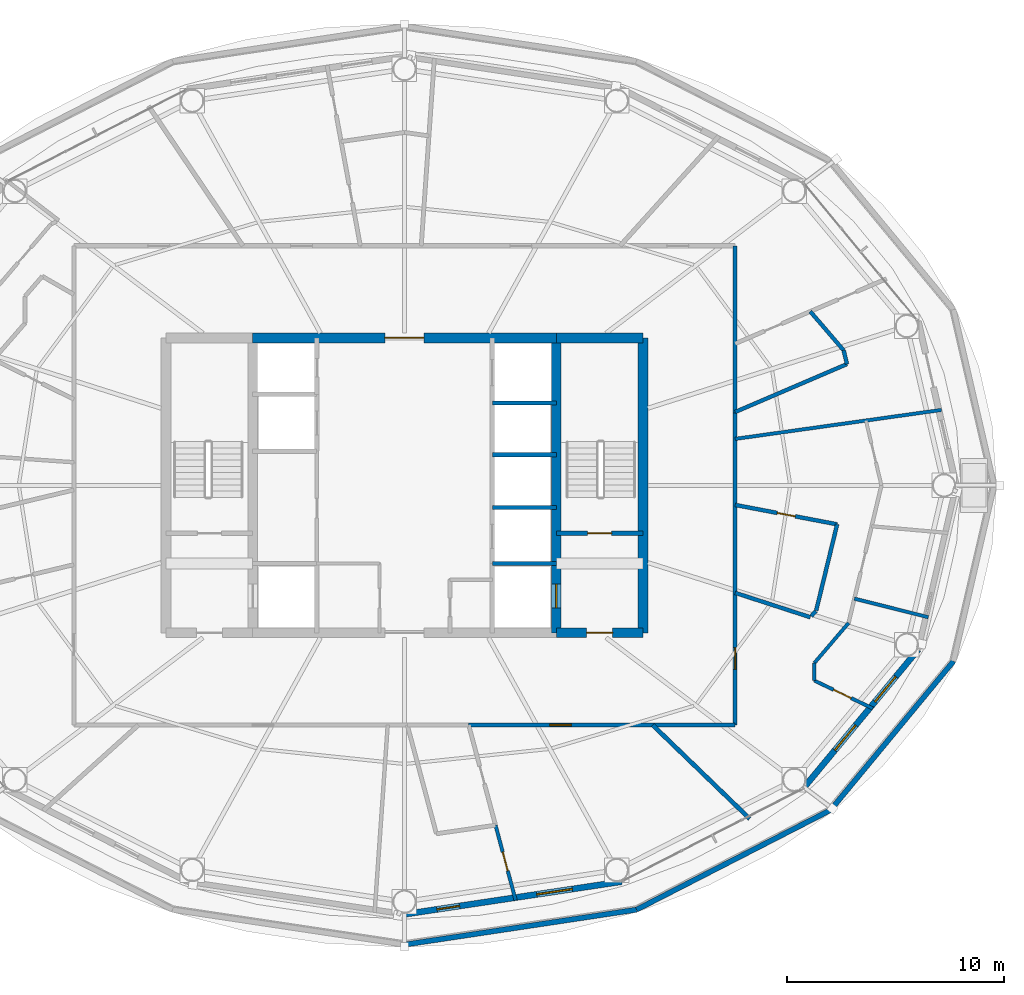
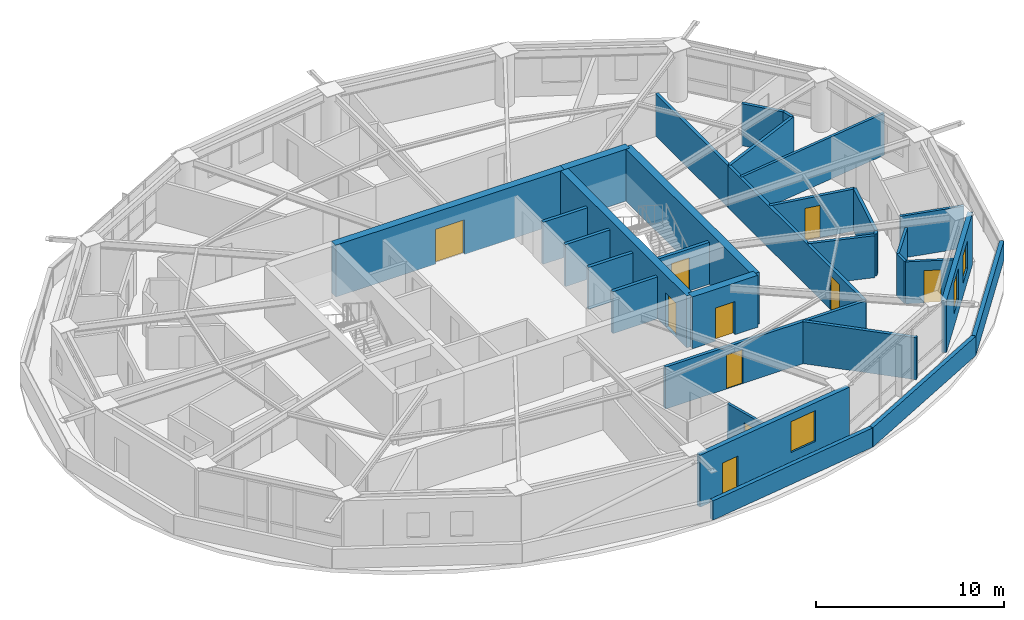
# One storey, part 17 of 22: 32 walls, 10 doors, 3 windows, 13 openings.
"""IFC4 building model written with IfcOpenShell, lengths in metres."""

from ifc_helpers import new_model, si_unit, direction, frame, frame_2d, origin, place, context, subcontext, project, spatial, rectangle, extrude, material, layer, layer_set, type_object, element, fill, save


model = new_model("IFC4")

# Units and contexts
model_context = context("Model", 3, precision=1e-05, world=origin(), true_north=direction((0.0, 1.0)))
body_context = subcontext(model_context, "Body", "Model", "MODEL_VIEW")
ifc_project = project(units=[si_unit("LENGTHUNIT", "METRE"), si_unit("AREAUNIT", "SQUARE_METRE"), si_unit("VOLUMEUNIT", "CUBIC_METRE"), si_unit("PLANEANGLEUNIT", "RADIAN"), si_unit("MASSUNIT", "GRAM", prefix="KILO")], contexts=[model_context])

# Site, building, storey
site_placement = place(None, origin())
site = spatial("IfcSite", under=ifc_project, at=site_placement, CompositionType="ELEMENT")
building_placement = place(site_placement, origin())
building = spatial("IfcBuilding", under=site, at=building_placement, Name="Sarneth Arch Tower", CompositionType="ELEMENT")
storey_placement = place(building_placement, frame((0.0, 0.0, 206.39990234375)))
storey = spatial("IfcBuildingStorey", under=building, at=storey_placement, Name="L52", CompositionType="ELEMENT", Elevation=206.39990234375)

# Wall, opening, door
ifc_material_1 = material(Name="Concrete C50/60", Category="concrete")
ifc_layer_1 = layer(ifc_material_1, 0.449951171875)
ifc_layer_set_1 = layer_set([ifc_layer_1], Name="Concrete C50/60")
wall_type_1 = type_object("IfcWallType", Name="WALL-CORE-450", PredefinedType="SHEAR", material=ifc_layer_set_1)
wall_1_placement = place(storey_placement, frame((55.0, 35.199951171875, 0.0), z_axis=(0.0, 0.0, 1.0), x_axis=(1.0, 0.0, 0.0)))
wall_1 = element("IfcWall", 1, at=wall_1_placement, inside=storey, type_object=wall_type_1, Name="L52 Core shear wall S-E", PredefinedType="SHEAR", context=body_context, shape_type="SweptSolid", body=[
    extrude(rectangle(XDim=4.0, YDim=0.449951171875, at=frame_2d((2.0, 0.0))), origin(), (0.0, 0.0, 1.0), 3.360107421875),
])
opening_1_placement = place(wall_1_placement, frame((1.39990234375, 0.0, 0.0)))
opening_1 = element("IfcOpeningElement", 2, at=opening_1_placement, cuts=wall_1, Name="Opening FD-02", PredefinedType="OPENING", context=body_context, shape_type="SweptSolid", body=[
    extrude(rectangle(XDim=1.199951171875, YDim=2.14990234375, at=frame_2d((0.60009765625, 1.074951171875))), frame((0.0, 0.23486328125, 0.0), z_axis=(0.0, -1.0, 0.0), x_axis=(1.0, 0.0, 0.0)), (0.0, 0.0, 1.0), 0.469970703125),
])
ifc_material_2 = material(Name="Galvanised Steel S275 fire door set", Category="steel")
door_type_1 = type_object("IfcDoorType", Name="DR-FD90-1200", OperationType="SINGLE_SWING_LEFT", PredefinedType="DOOR", material=ifc_material_2)
door_1_placement = place(opening_1_placement, origin())
door_1 = element("IfcDoor", 3, at=door_1_placement, inside=storey, type_object=door_type_1, Name="L52 Firefighting lobby 2 exit door", OperationType="SINGLE_SWING_RIGHT", OverallHeight=2.14990234375, OverallWidth=1.199951171875, PredefinedType="DOOR", context=body_context, shape_type="SweptSolid", body=[
    extrude(rectangle(XDim=1.199951171875, YDim=2.14990234375, at=frame_2d((0.60009765625, 1.074951171875))), frame((0.0, 0.02490234375, 0.0), z_axis=(0.0, -1.0, 0.0), x_axis=(1.0, 0.0, 0.0)), (0.0, 0.0, 1.0), 0.050048828125),
])
fill(opening_1, door_1)

wall_2_placement = place(storey_placement, frame((41.0, 48.800048828125, 0.0), z_axis=(0.0, 0.0, 1.0), x_axis=(1.0, 0.0, 0.0)))
wall_2 = element("IfcWall", 4, at=wall_2_placement, inside=storey, type_object=wall_type_1, Name="L52 Core shear wall N-M", PredefinedType="SHEAR", context=body_context, shape_type="SweptSolid", body=[
    extrude(rectangle(XDim=14.0, YDim=0.449951171875, at=frame_2d((7.0, 0.0))), origin(), (0.0, 0.0, 1.0), 3.360107421875),
])
opening_2_placement = place(wall_2_placement, frame((6.10009765625, 0.0, 0.0)))
opening_2 = element("IfcOpeningElement", 5, at=opening_2_placement, cuts=wall_2, Name="Opening FD-01", PredefinedType="OPENING", context=body_context, shape_type="SweptSolid", body=[
    extrude(rectangle(XDim=1.800048828125, YDim=2.25, at=frame_2d((0.89990234375, 1.125))), frame((0.0, 0.23486328125, 0.0), z_axis=(0.0, -1.0, 0.0), x_axis=(1.0, 0.0, 0.0)), (0.0, 0.0, 1.0), 0.469970703125),
])
ifc_material_3 = material(Name="Galvanised Steel S275 fire door set", Category="steel")
door_type_2 = type_object("IfcDoorType", Name="DR-FD90-1800", OperationType="DOUBLE_DOOR_SINGLE_SWING", PredefinedType="DOOR", material=ifc_material_3)
door_2_placement = place(opening_2_placement, origin())
door_2 = element("IfcDoor", 6, at=door_2_placement, inside=storey, type_object=door_type_2, Name="L52 Central lift lobby north door", OperationType="DOUBLE_DOOR_SINGLE_SWING", OverallHeight=2.25, OverallWidth=1.800048828125, PredefinedType="DOOR", context=body_context, shape_type="SweptSolid", body=[
    extrude(rectangle(XDim=1.800048828125, YDim=2.25, at=frame_2d((0.89990234375, 1.125))), frame((0.0, 0.02490234375, 0.0), z_axis=(0.0, -1.0, 0.0), x_axis=(1.0, 0.0, 0.0)), (0.0, 0.0, 1.0), 0.050048828125),
])
fill(opening_2, door_2)

# Walls
wall_3_placement = place(storey_placement, frame((55.0, 48.800048828125, 0.0), z_axis=(0.0, 0.0, 1.0), x_axis=(1.0, 0.0, 0.0)))
element("IfcWall", 7, at=wall_3_placement, inside=storey, type_object=wall_type_1, Name="L52 Core shear wall N-E", PredefinedType="SHEAR", context=body_context, shape_type="SweptSolid", body=[
    extrude(rectangle(XDim=4.0, YDim=0.449951171875, at=frame_2d((2.0, 0.0))), origin(), (0.0, 0.0, 1.0), 3.360107421875),
])
wall_4_placement = place(storey_placement, frame((59.0, 35.199951171875, 0.0), z_axis=(0.0, 0.0, 1.0), x_axis=(0.0, 1.0, 0.0)))
element("IfcWall", 8, at=wall_4_placement, inside=storey, type_object=wall_type_1, Name="L52 Core shear wall E", PredefinedType="SHEAR", context=body_context, shape_type="SweptSolid", body=[
    extrude(rectangle(XDim=13.60009765625, YDim=0.449951171875, at=frame_2d((6.800048828125, 0.0))), origin(), (0.0, 0.0, 1.0), 3.360107421875),
])

# Wall, opening, door
wall_5_placement = place(storey_placement, frame((55.0, 35.199951171875, 0.0), z_axis=(0.0, 0.0, 1.0), x_axis=(0.0, 1.0, 0.0)))
wall_5 = element("IfcWall", 9, at=wall_5_placement, inside=storey, type_object=wall_type_1, Name="L52 Core shear wall WEB-E", PredefinedType="SHEAR", context=body_context, shape_type="SweptSolid", body=[
    extrude(rectangle(XDim=13.60009765625, YDim=0.449951171875, at=frame_2d((6.800048828125, 0.0))), origin(), (0.0, 0.0, 1.0), 3.360107421875),
])
opening_3_placement = place(wall_5_placement, frame((1.14990234375, 0.0, 0.0)))
opening_3 = element("IfcOpeningElement", 10, at=opening_3_placement, cuts=wall_5, Name="Opening LD-1", PredefinedType="OPENING", context=body_context, shape_type="SweptSolid", body=[
    extrude(rectangle(XDim=1.10009765625, YDim=2.199951171875, at=frame_2d((0.550048828125, 1.10009765625))), frame((0.0, 0.23486328125, 0.0), z_axis=(0.0, -1.0, 0.0), x_axis=(1.0, 0.0, 0.0)), (0.0, 0.0, 1.0), 0.469970703125),
])
ifc_material_4 = material(Name="Brushed Stainless Steel 304 lift landing door", Category="steel")
door_type_3 = type_object("IfcDoorType", Name="DR-LIFT-SLIDE-1100", OperationType="SLIDING_TO_LEFT", PredefinedType="DOOR", material=ifc_material_4)
door_3_placement = place(opening_3_placement, origin())
door_3 = element("IfcDoor", 11, at=door_3_placement, inside=storey, type_object=door_type_3, Name="L52 Firefighting lift landing door FL-2", OperationType="SLIDING_TO_RIGHT", OverallHeight=2.199951171875, OverallWidth=1.10009765625, PredefinedType="DOOR", context=body_context, shape_type="SweptSolid", body=[
    extrude(rectangle(XDim=1.10009765625, YDim=2.199951171875, at=frame_2d((0.550048828125, 1.10009765625))), frame((0.0, 0.02490234375, 0.0), z_axis=(0.0, -1.0, 0.0), x_axis=(1.0, 0.0, 0.0)), (0.0, 0.0, 1.0), 0.050048828125),
])
fill(opening_3, door_3)

ifc_material_5 = material(Name="Double steel-stud corridor fire wall", Category="steel")
ifc_layer_2 = layer(ifc_material_5, 0.18994140625)
ifc_layer_set_2 = layer_set([ifc_layer_2], Name="Double steel-stud corridor fire wall")
wall_type_2 = type_object("IfcWallType", Name="WALL-CORR-190", PredefinedType="PARTITIONING", material=ifc_layer_set_2)
wall_6_placement = place(storey_placement, frame((50.960693359375, 30.949951171875, 0.0), z_axis=(0.0, 0.0, 1.0), x_axis=(1.0, 0.0, 0.0)))
wall_6 = element("IfcWall", 12, at=wall_6_placement, inside=storey, type_object=wall_type_2, Name="L52 Interior partition W-L52-TP-017", PredefinedType="PARTITIONING", context=body_context, shape_type="SweptSolid", body=[
    extrude(rectangle(XDim=12.289306640625, YDim=0.18994140625, at=frame_2d((6.14453125, 0.0))), origin(), (0.0, 0.0, 1.0), 2.72021484375),
])
opening_4_placement = place(wall_6_placement, frame((3.740966796875, 0.0, 0.0)))
opening_4 = element("IfcOpeningElement", 13, at=opening_4_placement, cuts=wall_6, Name="Opening FD-08", PredefinedType="OPENING", context=body_context, shape_type="SweptSolid", body=[
    extrude(rectangle(XDim=1.0, YDim=2.199951171875, at=frame_2d((0.5, 1.10009765625))), frame((0.0, 0.10498046875, 0.0), z_axis=(0.0, -1.0, 0.0), x_axis=(1.0, 0.0, 0.0)), (0.0, 0.0, 1.0), 0.2099609375),
])
ifc_material_6 = material(Name="Hardwood timber acoustic fire door", Category="wood")
door_type_4 = type_object("IfcDoorType", Name="DR-FD60-1000", OperationType="SINGLE_SWING_LEFT", PredefinedType="DOOR", material=ifc_material_6)
door_4_placement = place(opening_4_placement, origin())
door_4 = element("IfcDoor", 14, at=door_4_placement, inside=storey, type_object=door_type_4, Name="L52 Interior door DR-L52-U7-ENT", OperationType="SINGLE_SWING_LEFT", OverallHeight=2.199951171875, OverallWidth=1.0, PredefinedType="DOOR", context=body_context, shape_type="SweptSolid", body=[
    extrude(rectangle(XDim=1.0, YDim=2.199951171875, at=frame_2d((0.5, 1.10009765625))), frame((0.0, 0.02490234375, 0.0), z_axis=(0.0, -1.0, 0.0), x_axis=(1.0, 0.0, 0.0)), (0.0, 0.0, 1.0), 0.050048828125),
])
fill(opening_4, door_4)

wall_7_placement = place(storey_placement, frame((63.25, 45.419189453125, 0.0), z_axis=(0.0, 0.0, 1.0), x_axis=(0.0, -1.0, 0.0)))
wall_7 = element("IfcWall", 15, at=wall_7_placement, inside=storey, type_object=wall_type_2, Name="L52 Interior partition W-L52-TP-020", PredefinedType="PARTITIONING", context=body_context, shape_type="SweptSolid", body=[
    extrude(rectangle(XDim=14.46923828125, YDim=0.18994140625, at=frame_2d((7.234619140625, 0.0))), origin(), (0.0, 0.0, 1.0), 2.72021484375),
])
opening_5_placement = place(wall_7_placement, frame((10.90478515625, 0.0, 0.0)))
opening_5 = element("IfcOpeningElement", 16, at=opening_5_placement, cuts=wall_7, Name="Opening FD-08", PredefinedType="OPENING", context=body_context, shape_type="SweptSolid", body=[
    extrude(rectangle(XDim=1.0, YDim=2.199951171875, at=frame_2d((0.5, 1.10009765625))), frame((0.0, 0.10498046875, 0.0), z_axis=(0.0, -1.0, 0.0), x_axis=(1.0, 0.0, 0.0)), (0.0, 0.0, 1.0), 0.2099609375),
])
door_5_placement = place(opening_5_placement, origin())
door_5 = element("IfcDoor", 17, at=door_5_placement, inside=storey, type_object=door_type_4, Name="L52 Interior door DR-L52-U8-ENT", OperationType="SINGLE_SWING_RIGHT", OverallHeight=2.199951171875, OverallWidth=1.0, PredefinedType="DOOR", context=body_context, shape_type="SweptSolid", body=[
    extrude(rectangle(XDim=1.0, YDim=2.199951171875, at=frame_2d((0.5, 1.10009765625))), frame((0.0, 0.02490234375, 0.0), z_axis=(0.0, -1.0, 0.0), x_axis=(1.0, 0.0, 0.0)), (0.0, 0.0, 1.0), 0.050048828125),
])
fill(opening_5, door_5)

# Wall
wall_8_placement = place(storey_placement, frame((63.25, 45.349609375, 0.0), z_axis=(0.0, 0.0, 1.0), x_axis=(0.0, 1.0, 0.0)))
element("IfcWall", 18, at=wall_8_placement, inside=storey, type_object=wall_type_2, Name="L52 Interior partition W-L52-TP-001", PredefinedType="PARTITIONING", context=body_context, shape_type="SweptSolid", body=[
    extrude(rectangle(XDim=7.700439453125, YDim=0.18994140625, at=frame_2d((3.85009765625, 0.0))), origin(), (0.0, 0.0, 1.0), 2.72021484375),
])

# Wall, openings, door, window
ifc_material_7 = material(Name="Extruded terracotta rainscreen on Concrete C40/50 backing", Category="masonry")
ifc_layer_3 = layer(ifc_material_7, 0.280029296875)
ifc_layer_set_3 = layer_set([ifc_layer_3], Name="Extruded terracotta rainscreen on Concrete C40/50 backing")
wall_type_3 = type_object("IfcWallType", Name="WALL-EXT-TERRA-280", PredefinedType="SOLIDWALL", material=ifc_layer_set_3)
wall_9_placement = place(storey_placement, frame((48.0, 22.219970703125, 0.0), z_axis=(0.0, 0.0, 1.0), x_axis=(0.988882522213, 0.148698881169, 0.0)))
wall_9 = element("IfcWall", 19, at=wall_9_placement, inside=storey, type_object=wall_type_3, Name="L52 Terracotta perimeter wall 13", PredefinedType="SOLIDWALL", context=body_context, shape_type="SweptSolid", body=[
    extrude(rectangle(XDim=10.125244140625, YDim=0.280029296875, at=frame_2d((5.0625, 0.0))), origin(), (0.0, 0.0, 1.0), 3.360107421875),
])
opening_6_placement = place(wall_9_placement, frame((1.51611328125, 0.0, 0.0)))
opening_6 = element("IfcOpeningElement", 20, at=opening_6_placement, cuts=wall_9, Name="Opening BD-4", PredefinedType="OPENING", context=body_context, shape_type="SweptSolid", body=[
    extrude(rectangle(XDim=1.050048828125, YDim=2.199951171875, at=frame_2d((0.52490234375, 1.10009765625))), frame((0.0, 0.14990234375, 0.0), z_axis=(0.0, -1.0, 0.0), x_axis=(1.0, 0.0, 0.0)), (0.0, 0.0, 1.0), 0.300048828125),
])
opening_7_placement = place(wall_9_placement, frame((6.175537109375, 0.0, 0.85009765625)))
opening_7 = element("IfcOpeningElement", 21, at=opening_7_placement, cuts=wall_9, Name="Opening W-05", PredefinedType="OPENING", context=body_context, shape_type="SweptSolid", body=[
    extrude(rectangle(XDim=1.64990234375, YDim=2.0, at=frame_2d((0.824951171875, 1.0))), frame((0.0, 0.14990234375, 0.0), z_axis=(0.0, -1.0, 0.0), x_axis=(1.0, 0.0, 0.0)), (0.0, 0.0, 1.0), 0.300048828125),
])
ifc_material_8 = material(Name="Thermally broken Aluminium 6063-T6 and laminated safety glass", Category="aluminium")
door_type_5 = type_object("IfcDoorType", Name="DR-BALC-GLZ-1050", OperationType="SINGLE_SWING_RIGHT", PredefinedType="DOOR", material=ifc_material_8)
door_6_placement = place(opening_6_placement, origin())
door_6 = element("IfcDoor", 22, at=door_6_placement, inside=storey, type_object=door_type_5, Name="L52 Maintenance roof access door 13", OperationType="SINGLE_SWING_RIGHT", OverallHeight=2.199951171875, OverallWidth=1.050048828125, PredefinedType="DOOR", context=body_context, shape_type="SweptSolid", body=[
    extrude(rectangle(XDim=1.050048828125, YDim=2.199951171875, at=frame_2d((0.52490234375, 1.10009765625))), frame((0.0, 0.02490234375, 0.0), z_axis=(0.0, -1.0, 0.0), x_axis=(1.0, 0.0, 0.0)), (0.0, 0.0, 1.0), 0.050048828125),
])
fill(opening_6, door_6)
ifc_material_9 = material(Name="Thermally broken Aluminium 6063-T6 and low-e laminated IGU", Category="aluminium")
window_type_1 = type_object("IfcWindowType", Name="WIN-TWR-1650x2000", PartitioningType="DOUBLE_PANEL_VERTICAL", PredefinedType="WINDOW", material=ifc_material_9)
window_1_placement = place(opening_7_placement, origin())
window_1 = element("IfcWindow", 23, at=window_1_placement, inside=storey, type_object=window_type_1, Name="L52 Exterior window 13A", OverallHeight=2.0, OverallWidth=1.64990234375, PartitioningType="SINGLE_PANEL", PredefinedType="WINDOW", context=body_context, shape_type="SweptSolid", body=[
    extrude(rectangle(XDim=1.64990234375, YDim=2.0, at=frame_2d((0.824951171875, 1.0))), frame((0.0, 0.030029296875, 0.0), z_axis=(0.0, -1.0, 0.0), x_axis=(1.0, 0.0, 0.0)), (0.0, 0.0, 1.0), 0.06005859375),
])
fill(opening_7, window_1)

# Wall, openings, windows
wall_10_placement = place(storey_placement, frame((66.382568359375, 28.013427734375, 0.0), z_axis=(0.0, 0.0, 1.0), x_axis=(0.63761509934, 0.770355103243, 0.0)))
wall_10 = element("IfcWall", 24, at=wall_10_placement, inside=storey, type_object=wall_type_3, Name="L52 Terracotta perimeter wall 15", PredefinedType="SOLIDWALL", context=body_context, shape_type="SweptSolid", body=[
    extrude(rectangle(XDim=8.329833984375, YDim=0.280029296875, at=frame_2d((4.1650390625, 0.0))), origin(), (0.0, 0.0, 1.0), 3.360107421875),
])
opening_8_placement = place(wall_10_placement, frame((2.302978515625, 0.0, 0.85009765625)))
opening_8 = element("IfcOpeningElement", 25, at=opening_8_placement, cuts=wall_10, Name="Opening W-06", PredefinedType="OPENING", context=body_context, shape_type="SweptSolid", body=[
    extrude(rectangle(XDim=1.5, YDim=2.0, at=frame_2d((0.75, 1.0))), frame((0.0, 0.14990234375, 0.0), z_axis=(0.0, -1.0, 0.0), x_axis=(1.0, 0.0, 0.0)), (0.0, 0.0, 1.0), 0.300048828125),
])
opening_9_placement = place(wall_10_placement, frame((5.2080078125, 0.0, 0.85009765625)))
opening_9 = element("IfcOpeningElement", 26, at=opening_9_placement, cuts=wall_10, Name="Opening W-07", PredefinedType="OPENING", context=body_context, shape_type="SweptSolid", body=[
    extrude(rectangle(XDim=1.5, YDim=1.800048828125, at=frame_2d((0.75, 0.89990234375))), frame((0.0, 0.14990234375, 0.0), z_axis=(0.0, -1.0, 0.0), x_axis=(1.0, 0.0, 0.0)), (0.0, 0.0, 1.0), 0.300048828125),
])
ifc_material_10 = material(Name="Thermally broken Aluminium 6063-T6 and low-e laminated IGU", Category="aluminium")
window_type_2 = type_object("IfcWindowType", Name="WIN-TWR-1500x1800", PartitioningType="SINGLE_PANEL", PredefinedType="WINDOW", material=ifc_material_10)
window_2_placement = place(opening_9_placement, origin())
window_2 = element("IfcWindow", 27, at=window_2_placement, inside=storey, type_object=window_type_2, Name="L52 Exterior window 15B", OverallHeight=1.800048828125, OverallWidth=1.5, PartitioningType="SINGLE_PANEL", PredefinedType="WINDOW", context=body_context, shape_type="SweptSolid", body=[
    extrude(rectangle(XDim=1.5, YDim=1.800048828125, at=frame_2d((0.75, 0.89990234375))), frame((0.0, 0.030029296875, 0.0), z_axis=(0.0, -1.0, 0.0), x_axis=(1.0, 0.0, 0.0)), (0.0, 0.0, 1.0), 0.06005859375),
])
fill(opening_9, window_2)
ifc_material_11 = material(Name="Thermally broken Aluminium 6063-T6 and low-e laminated IGU", Category="aluminium")
window_type_3 = type_object("IfcWindowType", Name="WIN-TWR-1500x2000", PartitioningType="SINGLE_PANEL", PredefinedType="WINDOW", material=ifc_material_11)
window_3_placement = place(opening_8_placement, origin())
window_3 = element("IfcWindow", 28, at=window_3_placement, inside=storey, type_object=window_type_3, Name="L52 Exterior window 15A", OverallHeight=2.0, OverallWidth=1.5, PartitioningType="SINGLE_PANEL", PredefinedType="WINDOW", context=body_context, shape_type="SweptSolid", body=[
    extrude(rectangle(XDim=1.5, YDim=2.0, at=frame_2d((0.75, 1.0))), frame((0.0, 0.030029296875, 0.0), z_axis=(0.0, -1.0, 0.0), x_axis=(1.0, 0.0, 0.0)), (0.0, 0.0, 1.0), 0.06005859375),
])
fill(opening_8, window_3)

# Walls
ifc_material_12 = material(Name="Extruded terracotta rainscreen on Concrete C40/50 backing", Category="masonry")
ifc_layer_4 = layer(ifc_material_12, 0.239990234375)
ifc_layer_set_4 = layer_set([ifc_layer_4], Name="Extruded terracotta rainscreen on Concrete C40/50 backing")
wall_type_4 = type_object("IfcWallType", Name="WALL-PARAPET-240", PredefinedType="PARAPET", material=ifc_layer_set_4)
wall_11_placement = place(storey_placement, frame((48.0, 20.820068359375, 0.0), z_axis=(0.0, 0.0, 1.0), x_axis=(0.988842828913, 0.148962611775, 0.0)))
element("IfcWall", 29, at=wall_11_placement, inside=storey, type_object=wall_type_4, Name="L52 Setback roof parapet 13", PredefinedType="PARAPET", context=body_context, shape_type="SweptSolid", body=[
    extrude(rectangle(XDim=10.822021484375, YDim=0.239990234375, at=frame_2d((5.4111328125, 0.0))), origin(), (0.0, 0.0, 1.0), 1.25),
])
wall_12_placement = place(storey_placement, frame((58.701171875, 22.43212890625, 0.0), z_axis=(0.0, 0.0, 1.0), x_axis=(0.889652072391, 0.456639015077, 0.0)))
element("IfcWall", 30, at=wall_12_placement, inside=storey, type_object=wall_type_4, Name="L52 Setback roof parapet 14", PredefinedType="PARAPET", context=body_context, shape_type="SweptSolid", body=[
    extrude(rectangle(XDim=10.0546875, YDim=0.239990234375, at=frame_2d((5.02734375, 0.0))), origin(), (0.0, 0.0, 1.0), 1.25),
])
wall_13_placement = place(storey_placement, frame((67.646240234375, 27.0234375, 0.0), z_axis=(0.0, 0.0, 1.0), x_axis=(0.636894188862, 0.770951225561, 0.0)))
element("IfcWall", 31, at=wall_13_placement, inside=storey, type_object=wall_type_4, Name="L52 Setback roof parapet 15", PredefinedType="PARAPET", context=body_context, shape_type="SweptSolid", body=[
    extrude(rectangle(XDim=8.912841796875, YDim=0.239990234375, at=frame_2d((4.45654296875, 0.0))), origin(), (0.0, 0.0, 1.0), 1.25),
])
ifc_material_13 = material(Name="Kitchen wet service chase wall", Category="gypsum")
ifc_layer_5 = layer(ifc_material_13, 0.159912109375)
ifc_layer_set_5 = layer_set([ifc_layer_5], Name="Kitchen wet service chase wall")
wall_type_5 = type_object("IfcWallType", Name="WALL-PLUMB-160", PredefinedType="PLUMBINGWALL", material=ifc_layer_set_5)
wall_14_placement = place(storey_placement, frame((63.25, 44.143310546875, 0.0), z_axis=(0.0, 0.0, 1.0), x_axis=(0.990269661234, 0.139161769316, 0.0)))
element("IfcWall", 32, at=wall_14_placement, inside=storey, type_object=wall_type_5, Name="L52 Interior partition W-L52-TP-030", PredefinedType="PLUMBINGWALL", context=body_context, shape_type="SweptSolid", body=[
    extrude(rectangle(XDim=9.60693359375, YDim=0.159912109375, at=frame_2d((4.803466796875, 0.0))), origin(), (0.0, 0.0, 1.0), 2.72021484375),
])

# Wall, opening, door
wall_15_placement = place(storey_placement, frame((52.19921875, 26.327880859375, 0.0), z_axis=(0.0, 0.0, 1.0), x_axis=(0.258821309613, -0.965925219512, 0.0)))
wall_15 = element("IfcWall", 33, at=wall_15_placement, inside=storey, type_object=wall_type_5, Name="L52 Interior partition W-L52-TP-064", PredefinedType="PLUMBINGWALL", context=body_context, shape_type="SweptSolid", body=[
    extrude(rectangle(XDim=3.579833984375, YDim=0.159912109375, at=frame_2d((1.7900390625, 0.0))), origin(), (0.0, 0.0, 1.0), 2.72021484375),
])
opening_10_placement = place(wall_15_placement, frame((1.27978515625, 0.0, 0.0)))
opening_10 = element("IfcOpeningElement", 34, at=opening_10_placement, cuts=wall_15, Name="Opening ID-01", PredefinedType="OPENING", context=body_context, shape_type="SweptSolid", body=[
    extrude(rectangle(XDim=0.89990234375, YDim=2.10009765625, at=frame_2d((0.449951171875, 1.050048828125))), frame((0.0, 0.08984375, 0.0), z_axis=(0.0, -1.0, 0.0), x_axis=(1.0, 0.0, 0.0)), (0.0, 0.0, 1.0), 0.179931640625),
])
ifc_material_14 = material(Name="Engineered hardwood flush door", Category="wood")
door_type_6 = type_object("IfcDoorType", Name="DR-INT-900", OperationType="SINGLE_SWING_LEFT", PredefinedType="DOOR", material=ifc_material_14)
door_7_placement = place(opening_10_placement, origin())
door_7 = element("IfcDoor", 35, at=door_7_placement, inside=storey, type_object=door_type_6, Name="L52 Interior door DR-L52-U7-KIT", OperationType="SINGLE_SWING_RIGHT", OverallHeight=2.10009765625, OverallWidth=0.89990234375, PredefinedType="DOOR", context=body_context, shape_type="SweptSolid", body=[
    extrude(rectangle(XDim=0.89990234375, YDim=2.10009765625, at=frame_2d((0.449951171875, 1.050048828125))), frame((0.0, 0.02490234375, 0.0), z_axis=(0.0, -1.0, 0.0), x_axis=(1.0, 0.0, 0.0)), (0.0, 0.0, 1.0), 0.050048828125),
])
fill(opening_10, door_7)

# Wall
wall_16_placement = place(storey_placement, frame((68.7490234375, 36.777587890625, 0.0), z_axis=(0.0, 0.0, 1.0), x_axis=(0.96975767026, -0.244069787092, 0.0)))
element("IfcWall", 36, at=wall_16_placement, inside=storey, type_object=wall_type_5, Name="L52 Interior partition W-L52-TP-079", PredefinedType="PLUMBINGWALL", context=body_context, shape_type="SweptSolid", body=[
    extrude(rectangle(XDim=3.51904296875, YDim=0.159912109375, at=frame_2d((1.759521484375, 0.0))), origin(), (0.0, 0.0, 1.0), 2.72021484375),
])

# Wall, opening, door
wall_17_placement = place(storey_placement, frame((69.59619140625, 31.7138671875, 0.0), z_axis=(0.0, 0.0, 1.0), x_axis=(-0.902830295341, 0.42999704396, 0.0)))
wall_17 = element("IfcWall", 37, at=wall_17_placement, inside=storey, type_object=wall_type_5, Name="L52 Interior partition W-L52-TP-068", PredefinedType="PLUMBINGWALL", context=body_context, shape_type="SweptSolid", body=[
    extrude(rectangle(XDim=2.986572265625, YDim=0.159912109375, at=frame_2d((1.4931640625, 0.0))), origin(), (0.0, 0.0, 1.0), 2.72021484375),
])
opening_11_placement = place(wall_17_placement, frame((1.103271484375, 0.0, 0.0)))
opening_11 = element("IfcOpeningElement", 38, at=opening_11_placement, cuts=wall_17, Name="Opening ID-01", PredefinedType="OPENING", context=body_context, shape_type="SweptSolid", body=[
    extrude(rectangle(XDim=0.89990234375, YDim=2.10009765625, at=frame_2d((0.449951171875, 1.050048828125))), frame((0.0, 0.08984375, 0.0), z_axis=(0.0, -1.0, 0.0), x_axis=(1.0, 0.0, 0.0)), (0.0, 0.0, 1.0), 0.179931640625),
])
door_8_placement = place(opening_11_placement, origin())
door_8 = element("IfcDoor", 39, at=door_8_placement, inside=storey, type_object=door_type_6, Name="L52 Interior door DR-L52-U8-KIT", OperationType="SINGLE_SWING_RIGHT", OverallHeight=2.10009765625, OverallWidth=0.89990234375, PredefinedType="DOOR", context=body_context, shape_type="SweptSolid", body=[
    extrude(rectangle(XDim=0.89990234375, YDim=2.10009765625, at=frame_2d((0.449951171875, 1.050048828125))), frame((0.0, 0.02490234375, 0.0), z_axis=(0.0, -1.0, 0.0), x_axis=(1.0, 0.0, 0.0)), (0.0, 0.0, 1.0), 0.050048828125),
])
fill(opening_11, door_8)

# Walls
wall_18_placement = place(storey_placement, frame((66.89990234375, 33.802978515625, 0.0), z_axis=(0.0, 0.0, 1.0), x_axis=(0.649270866973, 0.760557257082, 0.0)))
element("IfcWall", 40, at=wall_18_placement, inside=storey, type_object=wall_type_5, Name="L52 Interior partition W-L52-TP-070", PredefinedType="PLUMBINGWALL", context=body_context, shape_type="SweptSolid", body=[
    extrude(rectangle(XDim=2.43505859375, YDim=0.159912109375, at=frame_2d((1.217529296875, 0.0))), origin(), (0.0, 0.0, 1.0), 2.72021484375),
])
wall_19_placement = place(storey_placement, frame((66.89990234375, 32.998046875, 0.0), z_axis=(0.0, 0.0, 1.0), x_axis=(0.0, 1.0, 0.0)))
element("IfcWall", 41, at=wall_19_placement, inside=storey, type_object=wall_type_5, Name="L52 Interior partition W-L52-TP-069", PredefinedType="PLUMBINGWALL", context=body_context, shape_type="SweptSolid", body=[
    extrude(rectangle(XDim=0.804931640625, YDim=0.159912109375, at=frame_2d((0.40234375, 0.0))), origin(), (0.0, 0.0, 1.0), 2.72021484375),
])
ifc_material_15 = material(Name="Moisture-resistant plumbing chase wall", Category="gypsum")
ifc_layer_6 = layer(ifc_material_15, 0.179931640625)
ifc_layer_set_6 = layer_set([ifc_layer_6], Name="Moisture-resistant plumbing chase wall")
wall_type_6 = type_object("IfcWallType", Name="WALL-PLUMB-180", PredefinedType="PLUMBINGWALL", material=ifc_layer_set_6)
wall_20_placement = place(storey_placement, frame((68.407470703125, 47.5947265625, 0.0), z_axis=(0.0, 0.0, 1.0), x_axis=(-0.919138278408, -0.393935051963, 0.0)))
element("IfcWall", 42, at=wall_20_placement, inside=storey, type_object=wall_type_6, Name="L52 Interior partition W-L52-TP-029", PredefinedType="PLUMBINGWALL", context=body_context, shape_type="SweptSolid", body=[
    extrude(rectangle(XDim=5.611083984375, YDim=0.179931640625, at=frame_2d((2.8056640625, 0.0))), origin(), (0.0, 0.0, 1.0), 2.72021484375),
])

# Wall, opening, door
wall_21_placement = place(storey_placement, frame((67.955322265625, 40.20458984375, 0.0), z_axis=(0.0, 0.0, 1.0), x_axis=(-0.982404536053, 0.186765434551, 0.0)))
wall_21 = element("IfcWall", 43, at=wall_21_placement, inside=storey, type_object=wall_type_6, Name="L52 Interior partition W-L52-TP-075", PredefinedType="PLUMBINGWALL", context=body_context, shape_type="SweptSolid", body=[
    extrude(rectangle(XDim=4.78955078125, YDim=0.179931640625, at=frame_2d((2.394775390625, 0.0))), origin(), (0.0, 0.0, 1.0), 2.72021484375),
])
opening_12_placement = place(wall_21_placement, frame((1.9697265625, 0.0, 0.0)))
opening_12 = element("IfcOpeningElement", 44, at=opening_12_placement, cuts=wall_21, Name="Opening ID-02", PredefinedType="OPENING", context=body_context, shape_type="SweptSolid", body=[
    extrude(rectangle(XDim=0.85009765625, YDim=2.10009765625, at=frame_2d((0.425048828125, 1.050048828125))), frame((0.0, 0.099853515625, 0.0), z_axis=(0.0, -1.0, 0.0), x_axis=(1.0, 0.0, 0.0)), (0.0, 0.0, 1.0), 0.199951171875),
])
ifc_material_16 = material(Name="Moisture-resistant bathroom timber door", Category="wood")
door_type_7 = type_object("IfcDoorType", Name="DR-INT-850", OperationType="SINGLE_SWING_RIGHT", PredefinedType="DOOR", material=ifc_material_16)
door_9_placement = place(opening_12_placement, origin())
door_9 = element("IfcDoor", 45, at=door_9_placement, inside=storey, type_object=door_type_7, Name="L52 Interior door DR-L52-U8-BATH", OperationType="SINGLE_SWING_RIGHT", OverallHeight=2.10009765625, OverallWidth=0.85009765625, PredefinedType="DOOR", context=body_context, shape_type="SweptSolid", body=[
    extrude(rectangle(XDim=0.85009765625, YDim=2.10009765625, at=frame_2d((0.425048828125, 1.050048828125))), frame((0.0, 0.02490234375, 0.0), z_axis=(0.0, -1.0, 0.0), x_axis=(1.0, 0.0, 0.0)), (0.0, 0.0, 1.0), 0.050048828125),
])
fill(opening_12, door_9)

# Walls
wall_22_placement = place(storey_placement, frame((66.987548828125, 36.22900390625, 0.0), z_axis=(0.0, 0.0, 1.0), x_axis=(0.236522101202, 0.971626108975, 0.0)))
element("IfcWall", 46, at=wall_22_placement, inside=storey, type_object=wall_type_6, Name="L52 Interior partition W-L52-TP-074", PredefinedType="PLUMBINGWALL", context=body_context, shape_type="SweptSolid", body=[
    extrude(rectangle(XDim=4.091796875, YDim=0.179931640625, at=frame_2d((2.0458984375, 0.0))), origin(), (0.0, 0.0, 1.0), 2.72021484375),
])
wall_23_placement = place(storey_placement, frame((63.25, 37.044921875, 0.0), z_axis=(0.0, 0.0, 1.0), x_axis=(0.951066543841, -0.308986131058, 0.0)))
element("IfcWall", 47, at=wall_23_placement, inside=storey, type_object=wall_type_6, Name="L52 Interior partition W-L52-TP-072", PredefinedType="PLUMBINGWALL", context=body_context, shape_type="SweptSolid", body=[
    extrude(rectangle(XDim=3.645751953125, YDim=0.179931640625, at=frame_2d((1.82275390625, 0.0))), origin(), (0.0, 0.0, 1.0), 2.72021484375),
])
wall_24_placement = place(storey_placement, frame((66.71484375, 50.021240234375, 0.0), z_axis=(0.0, 0.0, 1.0), x_axis=(0.651871704999, -0.758329268999, 0.0)))
element("IfcWall", 48, at=wall_24_placement, inside=storey, type_object=wall_type_6, Name="L52 Interior partition W-L52-TP-027", PredefinedType="PLUMBINGWALL", context=body_context, shape_type="SweptSolid", body=[
    extrude(rectangle(XDim=2.362060546875, YDim=0.179931640625, at=frame_2d((1.18115234375, 0.0))), origin(), (0.0, 0.0, 1.0), 2.72021484375),
])
wall_25_placement = place(storey_placement, frame((68.254638671875, 48.22998046875, 0.0), z_axis=(0.0, 0.0, 1.0), x_axis=(0.233909944351, -0.972258267095, 0.0)))
element("IfcWall", 49, at=wall_25_placement, inside=storey, type_object=wall_type_6, Name="L52 Interior partition W-L52-TP-028", PredefinedType="PLUMBINGWALL", context=body_context, shape_type="SweptSolid", body=[
    extrude(rectangle(XDim=0.6533203125, YDim=0.179931640625, at=frame_2d((0.32666015625, 0.0))), origin(), (0.0, 0.0, 1.0), 2.72021484375),
])
wall_26_placement = place(storey_placement, frame((66.761962890625, 35.9697265625, 0.0), z_axis=(0.0, 0.0, 1.0), x_axis=(0.656312676344, 0.754489013088, 0.0)))
element("IfcWall", 50, at=wall_26_placement, inside=storey, type_object=wall_type_6, Name="L52 Interior partition W-L52-TP-073", PredefinedType="PLUMBINGWALL", context=body_context, shape_type="SweptSolid", body=[
    extrude(rectangle(XDim=0.31591796875, YDim=0.179931640625, at=frame_2d((0.157958984375, 0.0))), origin(), (0.0, 0.0, 1.0), 2.72021484375),
])

# Wall, opening, door
ifc_material_17 = material(Name="Aerated concrete blockwork C25/30", Category="masonry")
ifc_layer_7 = layer(ifc_material_17, 0.199951171875)
ifc_layer_set_7 = layer_set([ifc_layer_7], Name="Aerated concrete blockwork C25/30")
wall_type_7 = type_object("IfcWallType", Name="WALL-SHAFT-200", PredefinedType="SOLIDWALL", material=ifc_layer_set_7)
wall_27_placement = place(storey_placement, frame((55.0, 39.800048828125, 0.0), z_axis=(0.0, 0.0, 1.0), x_axis=(1.0, 0.0, 0.0)))
wall_27 = element("IfcWall", 51, at=wall_27_placement, inside=storey, type_object=wall_type_7, Name="L52 Interior partition W-L52-ST2-S", PredefinedType="SOLIDWALL", context=body_context, shape_type="SweptSolid", body=[
    extrude(rectangle(XDim=4.0, YDim=0.199951171875, at=frame_2d((2.0, 0.0))), origin(), (0.0, 0.0, 1.0), 2.72021484375),
])
opening_13_placement = place(wall_27_placement, frame((1.449951171875, 0.0, 0.0)))
opening_13 = element("IfcOpeningElement", 52, at=opening_13_placement, cuts=wall_27, Name="Opening FD-03", PredefinedType="OPENING", context=body_context, shape_type="SweptSolid", body=[
    extrude(rectangle(XDim=1.10009765625, YDim=2.14990234375, at=frame_2d((0.550048828125, 1.074951171875))), frame((0.0, 0.10986328125, 0.0), z_axis=(0.0, -1.0, 0.0), x_axis=(1.0, 0.0, 0.0)), (0.0, 0.0, 1.0), 0.219970703125),
])
ifc_material_18 = material(Name="Galvanised Steel S275 fire door set", Category="steel")
door_type_8 = type_object("IfcDoorType", Name="DR-FD90-1100", OperationType="SINGLE_SWING_LEFT", PredefinedType="DOOR", material=ifc_material_18)
door_10_placement = place(opening_13_placement, origin())
door_10 = element("IfcDoor", 53, at=door_10_placement, inside=storey, type_object=door_type_8, Name="L52 Interior door DR-L52-ST2", OperationType="SINGLE_SWING_RIGHT", OverallHeight=2.14990234375, OverallWidth=1.10009765625, PredefinedType="DOOR", context=body_context, shape_type="SweptSolid", body=[
    extrude(rectangle(XDim=1.10009765625, YDim=2.14990234375, at=frame_2d((0.550048828125, 1.074951171875))), frame((0.0, 0.02490234375, 0.0), z_axis=(0.0, -1.0, 0.0), x_axis=(1.0, 0.0, 0.0)), (0.0, 0.0, 1.0), 0.050048828125),
])
fill(opening_13, door_10)

# Walls
for number, where, z_axis, x_axis, name in (
    (54, (52.050048828125, 38.39990234375, 0.0), (0.0, 0.0, 1.0), (1.0, 0.0, 0.0), "L52 Interior partition W-L52-FL2-N"),
    (55, (52.050048828125, 40.97998046875, 0.0), (0.0, 0.0, 1.0), (1.0, 0.0, 0.0), "L52 Interior partition W-L52-EB-DIV-4098"),
    (56, (52.050048828125, 43.419921875, 0.0), (0.0, 0.0, 1.0), (1.0, 0.0, 0.0), "L52 Interior partition W-L52-EB-DIV-4342"),
    (57, (52.050048828125, 45.800048828125, 0.0), (0.0, 0.0, 1.0), (1.0, 0.0, 0.0), "L52 Interior partition W-L52-EB-DIV-4580"),
):
    element("IfcWall", number, at=place(storey_placement, frame(where, z_axis=z_axis, x_axis=x_axis)), inside=storey, type_object=wall_type_7, Name=name, PredefinedType="SOLIDWALL", context=body_context, shape_type="SweptSolid", body=[
        extrude(rectangle(XDim=2.949951171875, YDim=0.199951171875, at=frame_2d((1.47509765625, 0.0))), origin(), (0.0, 0.0, 1.0), 2.72021484375),
    ])
ifc_material_19 = material(Name="Double steel-stud acoustic drywall", Category="steel")
ifc_layer_8 = layer(ifc_material_19, 0.199951171875)
ifc_layer_set_8 = layer_set([ifc_layer_8], Name="Double steel-stud acoustic drywall")
wall_type_8 = type_object("IfcWallType", Name="WALL-UNIT-200", PredefinedType="PARTITIONING", material=ifc_layer_set_8)
wall_28_placement = place(storey_placement, frame((63.92138671875, 26.625, 0.0), z_axis=(0.0, 0.0, 1.0), x_axis=(-0.719350784266, 0.69464699609, 0.0)))
element("IfcWall", 58, at=wall_28_placement, inside=storey, type_object=wall_type_8, Name="L52 Interior partition W-L52-TP-065", PredefinedType="PARTITIONING", context=body_context, shape_type="SweptSolid", body=[
    extrude(rectangle(XDim=6.22607421875, YDim=0.199951171875, at=frame_2d((3.113037109375, 0.0))), origin(), (0.0, 0.0, 1.0), 2.72021484375),
])

save(model, "model.ifc")
